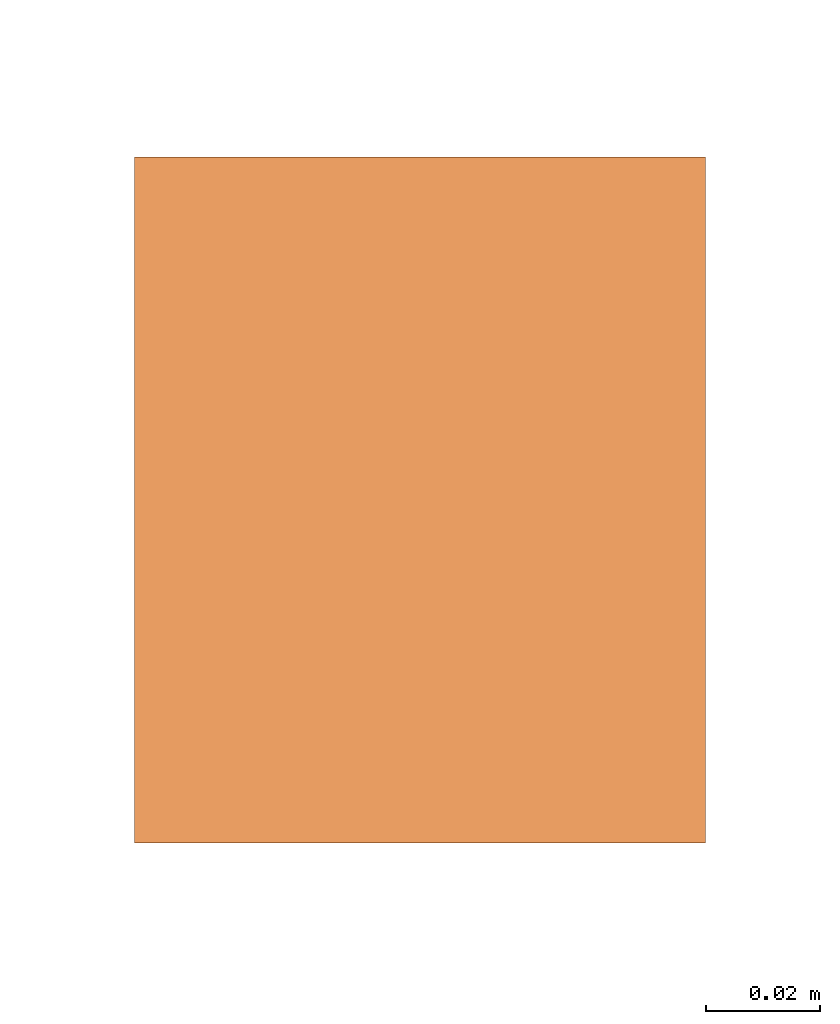
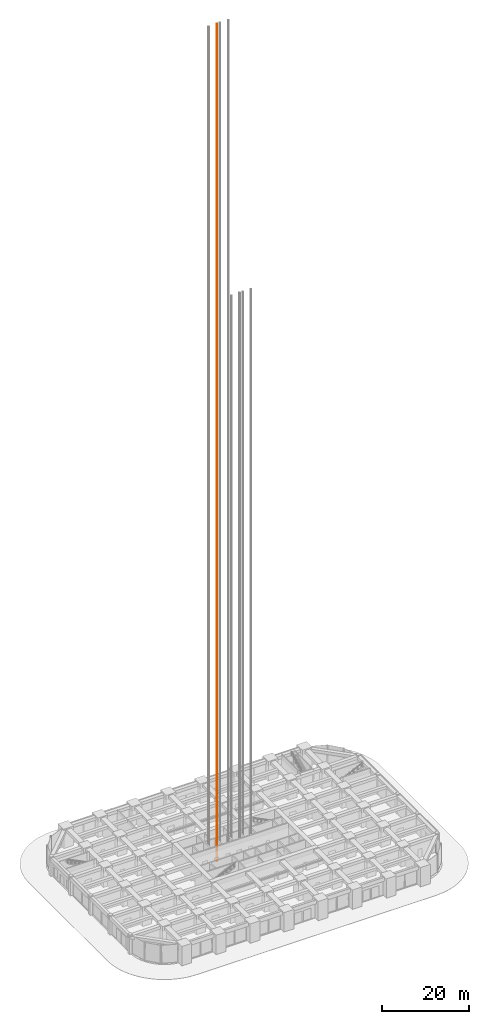
# One storey, part 51 of 56: 1 proxy.
"""IFC4 building model written with IfcOpenShell, lengths in metres."""

from ifc_helpers import new_model, si_unit, direction, frame, origin, origin_2d, place, context, subcontext, project, spatial, rectangle, extrude, element, save


model = new_model("IFC4")

# Units and contexts
model_context = context("Model", 3, precision=1e-05, world=origin(), true_north=direction((0.0, 1.0)))
body_context = subcontext(model_context, "Body", "Model", "MODEL_VIEW")
ifc_project = project(units=[si_unit("LENGTHUNIT", "METRE"), si_unit("AREAUNIT", "SQUARE_METRE"), si_unit("VOLUMEUNIT", "CUBIC_METRE"), si_unit("PLANEANGLEUNIT", "RADIAN"), si_unit("MASSUNIT", "GRAM", prefix="KILO")], contexts=[model_context])

# Site, building, storey
site_placement = place(None, origin())
site = spatial("IfcSite", under=ifc_project, at=site_placement, CompositionType="ELEMENT")
building_placement = place(site_placement, origin())
building = spatial("IfcBuilding", under=site, at=building_placement, Name="Zorevar Civic Tower", CompositionType="ELEMENT")
storey_placement = place(building_placement, origin())
storey = spatial("IfcBuildingStorey", under=building, at=storey_placement, Name="L00", CompositionType="ELEMENT", Elevation=0.0)

# Proxy
proxy_placement = place(storey_placement, frame((26.60009765625, 30.89990234375, 0.0), z_axis=(0.0, 0.0, 1.0), x_axis=(1.0, 0.0, 0.0)))
element("IfcBuildingElementProxy", 1, at=proxy_placement, inside=storey, Name="Passenger lift LH2 guide rail 2", PredefinedType="NOTDEFINED", context=body_context, shape_type="SweptSolid", body=[
    extrude(rectangle(XDim=0.10009765625, YDim=0.1201171875, at=origin_2d()), origin(), (0.0, 0.0, 1.0), 233.699951171875),
])

save(model, "model.ifc")
